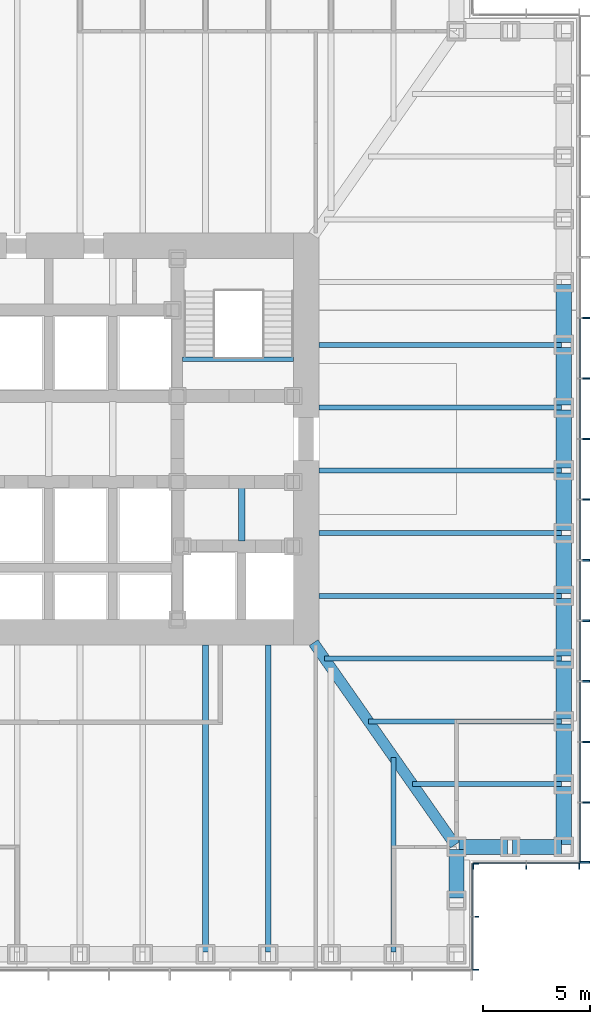
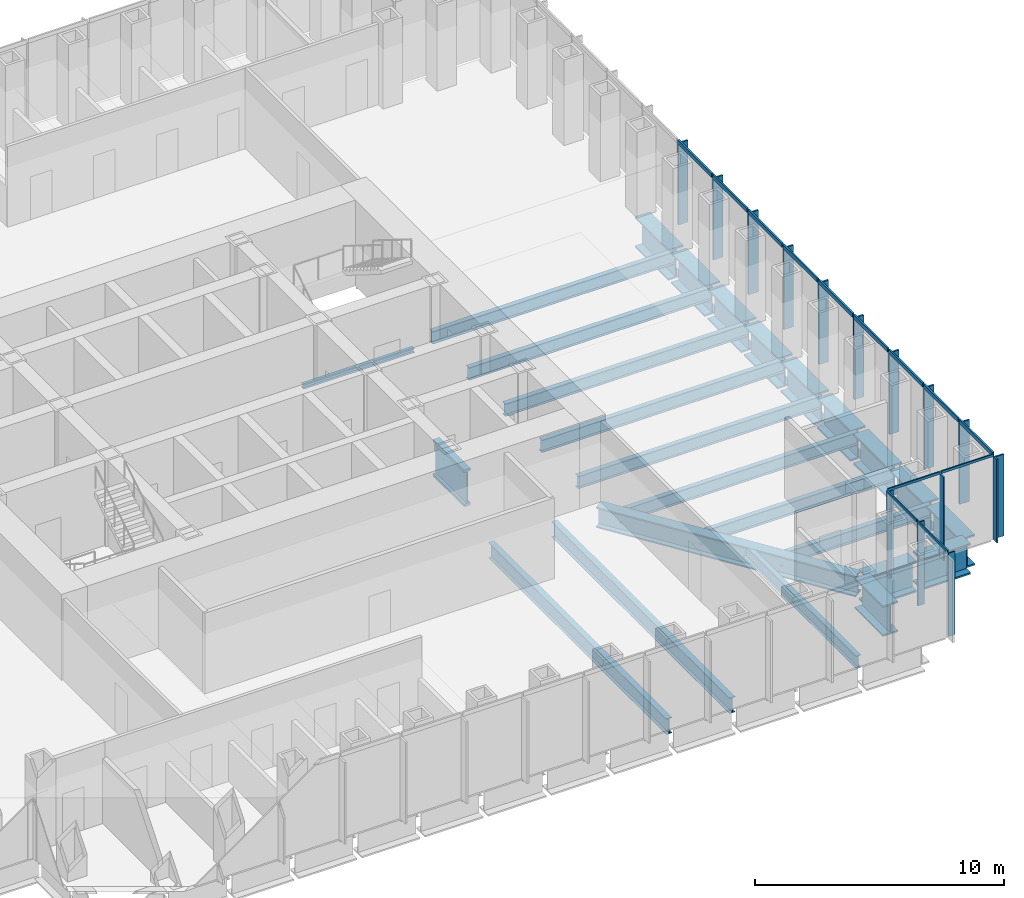
# One storey, part 4 of 17: 29 members, 26 beams, 3 elements without a shape of their own.
"""IFC4 building model written with IfcOpenShell, lengths in metres."""

from ifc_helpers import new_model, si_unit, direction, frame, origin, origin_2d, place, context, subcontext, project, spatial, rectangle, i_section, extrude, material, material_profile, profile_set, type_object, element, aggregate, save


model = new_model("IFC4")

# Units and contexts
model_context = context("Model", 3, precision=1e-05, world=origin(), true_north=direction((0.0, 1.0)))
body_context = subcontext(model_context, "Body", "Model", "MODEL_VIEW")
ifc_project = project(units=[si_unit("LENGTHUNIT", "METRE"), si_unit("AREAUNIT", "SQUARE_METRE"), si_unit("VOLUMEUNIT", "CUBIC_METRE"), si_unit("PLANEANGLEUNIT", "RADIAN"), si_unit("MASSUNIT", "GRAM", prefix="KILO")], contexts=[model_context])

# Site, building, storey
site_placement = place(None, origin())
site = spatial("IfcSite", under=ifc_project, at=site_placement, CompositionType="ELEMENT")
building_placement = place(site_placement, origin())
building = spatial("IfcBuilding", under=site, at=building_placement, Name="Daluyong Arena Tower", CompositionType="ELEMENT")
storey_placement = place(building_placement, frame((0.0, 0.0, 97.89990234375)))
storey = spatial("IfcBuildingStorey", under=building, at=storey_placement, Name="L21", CompositionType="ELEMENT", Elevation=97.89990234375)

# Curtain wall, members
ifc_material_1 = material(Name="Bronze anodised aluminium and glass", Category="aluminium")
curtain_wall_type_1 = type_object("IfcCurtainWallType", Name="Curtain wall CW1", PredefinedType="USERDEFINED", material=ifc_material_1)
curtain_wall_1_placement = place(storey_placement, origin())
curtain_wall_1 = element("IfcCurtainWall", 1, at=curtain_wall_1_placement, inside=storey, type_object=curtain_wall_type_1, Name="curtain wall L21 E", ObjectType="UNITISED CURTAIN WALL", PredefinedType="USERDEFINED")
ifc_material_2 = material(Name="Bronze anodised aluminium fin", Category="aluminium")
ifc_material_profile_1 = material_profile(ifc_material_2, rectangle(XDim=0.449951171875, YDim=0.080078125, at=origin_2d()))
ifc_profile_set_1 = profile_set([ifc_material_profile_1], Name="Bronze anodised aluminium fin")
member_type_1 = type_object("IfcMemberType", Name="CW1 bronze fin 450x80", PredefinedType="MULLION", material=ifc_profile_set_1)
member_1_placement = place(storey_placement, frame((80.97509765625, 60.2900390625, 0.0), z_axis=(0.0, 0.0, 1.0), x_axis=(-1.0, 0.0, 0.0)))
member_1 = element("IfcMember", 2, at=member_1_placement, type_object=member_type_1, Name="curtain wall L21 E fin 1", PredefinedType="MULLION", context=body_context, shape_type="SweptSolid", body=[
    extrude(rectangle(XDim=0.449951171875, YDim=0.080078125, at=origin_2d()), origin(), (0.0, 0.0, 1.0), 4.0),
])
member_2_placement = place(storey_placement, frame((80.97509765625, 63.071533203125, 0.0), z_axis=(0.0, 0.0, 1.0), x_axis=(-1.0, 0.0, 0.0)))
member_2 = element("IfcMember", 3, at=member_2_placement, type_object=member_type_1, Name="curtain wall L21 E fin 2", PredefinedType="MULLION", context=body_context, shape_type="SweptSolid", body=[
    extrude(rectangle(XDim=0.449951171875, YDim=0.080078125, at=origin_2d()), origin(), (0.0, 0.0, 1.0), 4.0),
])
member_3_placement = place(storey_placement, frame((80.97509765625, 65.892822265625, 0.0), z_axis=(0.0, 0.0, 1.0), x_axis=(-1.0, 0.0, 0.0)))
member_3 = element("IfcMember", 4, at=member_3_placement, type_object=member_type_1, Name="curtain wall L21 E fin 3", PredefinedType="MULLION", context=body_context, shape_type="SweptSolid", body=[
    extrude(rectangle(XDim=0.449951171875, YDim=0.080078125, at=origin_2d()), origin(), (0.0, 0.0, 1.0), 4.0),
])
member_4_placement = place(storey_placement, frame((80.97509765625, 68.71435546875, 0.0), z_axis=(0.0, 0.0, 1.0), x_axis=(-1.0, 0.0, 0.0)))
member_4 = element("IfcMember", 5, at=member_4_placement, type_object=member_type_1, Name="curtain wall L21 E fin 4", PredefinedType="MULLION", context=body_context, shape_type="SweptSolid", body=[
    extrude(rectangle(XDim=0.449951171875, YDim=0.080078125, at=origin_2d()), origin(), (0.0, 0.0, 1.0), 4.0),
])
member_5_placement = place(storey_placement, frame((80.97509765625, 71.53564453125, 0.0), z_axis=(0.0, 0.0, 1.0), x_axis=(-1.0, 0.0, 0.0)))
member_5 = element("IfcMember", 6, at=member_5_placement, type_object=member_type_1, Name="curtain wall L21 E fin 5", PredefinedType="MULLION", context=body_context, shape_type="SweptSolid", body=[
    extrude(rectangle(XDim=0.449951171875, YDim=0.080078125, at=origin_2d()), origin(), (0.0, 0.0, 1.0), 4.0),
])
member_6_placement = place(storey_placement, frame((80.97509765625, 74.357177734375, 0.0), z_axis=(0.0, 0.0, 1.0), x_axis=(-1.0, 0.0, 0.0)))
member_6 = element("IfcMember", 7, at=member_6_placement, type_object=member_type_1, Name="curtain wall L21 E fin 6", PredefinedType="MULLION", context=body_context, shape_type="SweptSolid", body=[
    extrude(rectangle(XDim=0.449951171875, YDim=0.080078125, at=origin_2d()), origin(), (0.0, 0.0, 1.0), 4.0),
])
member_7_placement = place(storey_placement, frame((80.97509765625, 77.178466796875, 0.0), z_axis=(0.0, 0.0, 1.0), x_axis=(-1.0, 0.0, 0.0)))
member_7 = element("IfcMember", 8, at=member_7_placement, type_object=member_type_1, Name="curtain wall L21 E fin 7", PredefinedType="MULLION", context=body_context, shape_type="SweptSolid", body=[
    extrude(rectangle(XDim=0.449951171875, YDim=0.080078125, at=origin_2d()), origin(), (0.0, 0.0, 1.0), 4.0),
])
member_8_placement = place(storey_placement, frame((80.97509765625, 80.0, 0.0), z_axis=(0.0, 0.0, 1.0), x_axis=(-1.0, 0.0, 0.0)))
member_8 = element("IfcMember", 9, at=member_8_placement, type_object=member_type_1, Name="curtain wall L21 E fin 8", PredefinedType="MULLION", context=body_context, shape_type="SweptSolid", body=[
    extrude(rectangle(XDim=0.449951171875, YDim=0.080078125, at=origin_2d()), origin(), (0.0, 0.0, 1.0), 4.0),
])
member_9_placement = place(storey_placement, frame((80.97509765625, 82.821533203125, 0.0), z_axis=(0.0, 0.0, 1.0), x_axis=(-1.0, 0.0, 0.0)))
member_9 = element("IfcMember", 10, at=member_9_placement, type_object=member_type_1, Name="curtain wall L21 E fin 9", PredefinedType="MULLION", context=body_context, shape_type="SweptSolid", body=[
    extrude(rectangle(XDim=0.449951171875, YDim=0.080078125, at=origin_2d()), origin(), (0.0, 0.0, 1.0), 4.0),
])
member_10_placement = place(storey_placement, frame((80.97509765625, 85.642822265625, 0.0), z_axis=(0.0, 0.0, 1.0), x_axis=(-1.0, 0.0, 0.0)))
member_10 = element("IfcMember", 11, at=member_10_placement, type_object=member_type_1, Name="curtain wall L21 E fin 10", PredefinedType="MULLION", context=body_context, shape_type="SweptSolid", body=[
    extrude(rectangle(XDim=0.449951171875, YDim=0.080078125, at=origin_2d()), origin(), (0.0, 0.0, 1.0), 4.0),
])
ifc_material_3 = material(Name="Bronze anodised aluminium", Category="aluminium")
ifc_material_profile_2 = material_profile(ifc_material_3, rectangle(XDim=0.080078125, YDim=0.199951171875, at=origin_2d()))
ifc_profile_set_2 = profile_set([ifc_material_profile_2], Name="Bronze anodised aluminium")
member_type_2 = type_object("IfcMemberType", Name="CW1 stack transom 200x80", PredefinedType="USERDEFINED", material=ifc_profile_set_2)
member_11_placement = place(storey_placement, frame((80.75, 60.330078125, 4.10009765625), z_axis=(0.0, 1.0, 0.0), x_axis=(-1.0, 0.0, 0.0)))
member_11 = element("IfcMember", 12, at=member_11_placement, type_object=member_type_2, Name="curtain wall L21 E transom 1", ObjectType="TRANSOM", PredefinedType="USERDEFINED", context=body_context, shape_type="SweptSolid", body=[
    extrude(rectangle(XDim=0.080078125, YDim=0.199951171875, at=origin_2d()), origin(), (0.0, 0.0, 1.0), 2.701416015625),
])
member_12_placement = place(storey_placement, frame((80.75, 63.111328125, 4.10009765625), z_axis=(0.0, 1.0, 0.0), x_axis=(-1.0, 0.0, 0.0)))
member_12 = element("IfcMember", 13, at=member_12_placement, type_object=member_type_2, Name="curtain wall L21 E transom 2", ObjectType="TRANSOM", PredefinedType="USERDEFINED", context=body_context, shape_type="SweptSolid", body=[
    extrude(rectangle(XDim=0.080078125, YDim=0.199951171875, at=origin_2d()), origin(), (0.0, 0.0, 1.0), 2.741455078125),
])
member_13_placement = place(storey_placement, frame((80.75, 65.932861328125, 4.10009765625), z_axis=(0.0, 1.0, 0.0), x_axis=(-1.0, 0.0, 0.0)))
member_13 = element("IfcMember", 14, at=member_13_placement, type_object=member_type_2, Name="curtain wall L21 E transom 3", ObjectType="TRANSOM", PredefinedType="USERDEFINED", context=body_context, shape_type="SweptSolid", body=[
    extrude(rectangle(XDim=0.080078125, YDim=0.199951171875, at=origin_2d()), origin(), (0.0, 0.0, 1.0), 2.741455078125),
])
member_14_placement = place(storey_placement, frame((80.75, 68.75439453125, 4.10009765625), z_axis=(0.0, 1.0, 0.0), x_axis=(-1.0, 0.0, 0.0)))
member_14 = element("IfcMember", 15, at=member_14_placement, type_object=member_type_2, Name="curtain wall L21 E transom 4", ObjectType="TRANSOM", PredefinedType="USERDEFINED", context=body_context, shape_type="SweptSolid", body=[
    extrude(rectangle(XDim=0.080078125, YDim=0.199951171875, at=origin_2d()), origin(), (0.0, 0.0, 1.0), 2.7412109375),
])
member_15_placement = place(storey_placement, frame((80.75, 71.57568359375, 4.10009765625), z_axis=(0.0, 1.0, 0.0), x_axis=(-1.0, 0.0, 0.0)))
member_15 = element("IfcMember", 16, at=member_15_placement, type_object=member_type_2, Name="curtain wall L21 E transom 5", ObjectType="TRANSOM", PredefinedType="USERDEFINED", context=body_context, shape_type="SweptSolid", body=[
    extrude(rectangle(XDim=0.080078125, YDim=0.199951171875, at=origin_2d()), origin(), (0.0, 0.0, 1.0), 2.741455078125),
])
member_16_placement = place(storey_placement, frame((80.75, 74.397216796875, 4.10009765625), z_axis=(0.0, 1.0, 0.0), x_axis=(-1.0, 0.0, 0.0)))
member_16 = element("IfcMember", 17, at=member_16_placement, type_object=member_type_2, Name="curtain wall L21 E transom 6", ObjectType="TRANSOM", PredefinedType="USERDEFINED", context=body_context, shape_type="SweptSolid", body=[
    extrude(rectangle(XDim=0.080078125, YDim=0.199951171875, at=origin_2d()), origin(), (0.0, 0.0, 1.0), 2.741455078125),
])
member_17_placement = place(storey_placement, frame((80.75, 77.218505859375, 4.10009765625), z_axis=(0.0, 1.0, 0.0), x_axis=(-1.0, 0.0, 0.0)))
member_17 = element("IfcMember", 18, at=member_17_placement, type_object=member_type_2, Name="curtain wall L21 E transom 7", ObjectType="TRANSOM", PredefinedType="USERDEFINED", context=body_context, shape_type="SweptSolid", body=[
    extrude(rectangle(XDim=0.080078125, YDim=0.199951171875, at=origin_2d()), origin(), (0.0, 0.0, 1.0), 2.741455078125),
])
member_18_placement = place(storey_placement, frame((80.75, 80.0400390625, 4.10009765625), z_axis=(0.0, 1.0, 0.0), x_axis=(-1.0, 0.0, 0.0)))
member_18 = element("IfcMember", 19, at=member_18_placement, type_object=member_type_2, Name="curtain wall L21 E transom 8", ObjectType="TRANSOM", PredefinedType="USERDEFINED", context=body_context, shape_type="SweptSolid", body=[
    extrude(rectangle(XDim=0.080078125, YDim=0.199951171875, at=origin_2d()), origin(), (0.0, 0.0, 1.0), 2.741455078125),
])
member_19_placement = place(storey_placement, frame((80.75, 82.861328125, 4.10009765625), z_axis=(0.0, 1.0, 0.0), x_axis=(-1.0, 0.0, 0.0)))
member_19 = element("IfcMember", 20, at=member_19_placement, type_object=member_type_2, Name="curtain wall L21 E transom 9", ObjectType="TRANSOM", PredefinedType="USERDEFINED", context=body_context, shape_type="SweptSolid", body=[
    extrude(rectangle(XDim=0.080078125, YDim=0.199951171875, at=origin_2d()), origin(), (0.0, 0.0, 1.0), 2.741455078125),
])
aggregate(curtain_wall_1, [member_1, member_2, member_3, member_4, member_5, member_6, member_7, member_8, member_9, member_10, member_11, member_12, member_13, member_14, member_15, member_16, member_17, member_18, member_19])

ifc_material_4 = material(Name="Bronze anodised aluminium and glass", Category="aluminium")
curtain_wall_type_2 = type_object("IfcCurtainWallType", Name="Curtain wall CW7", PredefinedType="USERDEFINED", material=ifc_material_4)
curtain_wall_2_placement = place(storey_placement, origin())
curtain_wall_2 = element("IfcCurtainWall", 21, at=curtain_wall_2_placement, inside=storey, type_object=curtain_wall_type_2, Name="curtain wall L21 SE-E", ObjectType="UNITISED CURTAIN WALL", PredefinedType="USERDEFINED")
ifc_material_5 = material(Name="Bronze anodised aluminium fin", Category="aluminium")
ifc_material_profile_3 = material_profile(ifc_material_5, rectangle(XDim=0.300048828125, YDim=0.06005859375, at=origin_2d()))
ifc_profile_set_3 = profile_set([ifc_material_profile_3], Name="Bronze anodised aluminium fin")
member_type_3 = type_object("IfcMemberType", Name="CW7 bronze fin 300x60", PredefinedType="MULLION", material=ifc_profile_set_3)
member_20_placement = place(storey_placement, frame((75.89990234375, 55.280029296875, 0.0), z_axis=(0.0, 0.0, 1.0), x_axis=(-1.0, 0.0, 0.0)))
member_20 = element("IfcMember", 22, at=member_20_placement, type_object=member_type_3, Name="curtain wall L21 SE-E fin 1", PredefinedType="MULLION", context=body_context, shape_type="SweptSolid", body=[
    extrude(rectangle(XDim=0.300048828125, YDim=0.06005859375, at=origin_2d()), origin(), (0.0, 0.0, 1.0), 4.080078125),
])
member_21_placement = place(storey_placement, frame((75.89990234375, 57.75, 0.0), z_axis=(0.0, 0.0, 1.0), x_axis=(-1.0, 0.0, 0.0)))
member_21 = element("IfcMember", 23, at=member_21_placement, type_object=member_type_3, Name="curtain wall L21 SE-E fin 2", PredefinedType="MULLION", context=body_context, shape_type="SweptSolid", body=[
    extrude(rectangle(XDim=0.300048828125, YDim=0.06005859375, at=origin_2d()), origin(), (0.0, 0.0, 1.0), 4.080078125),
])
member_22_placement = place(storey_placement, frame((75.89990234375, 60.219970703125, 0.0), z_axis=(0.0, 0.0, 1.0), x_axis=(-1.0, 0.0, 0.0)))
member_22 = element("IfcMember", 24, at=member_22_placement, type_object=member_type_3, Name="curtain wall L21 SE-E fin 3", PredefinedType="MULLION", context=body_context, shape_type="SweptSolid", body=[
    extrude(rectangle(XDim=0.300048828125, YDim=0.06005859375, at=origin_2d()), origin(), (0.0, 0.0, 1.0), 4.080078125),
])

curtain_wall_3_placement = place(storey_placement, origin())
curtain_wall_3 = element("IfcCurtainWall", 25, at=curtain_wall_3_placement, inside=storey, type_object=curtain_wall_type_2, Name="curtain wall L21 SE-S", ObjectType="UNITISED CURTAIN WALL", PredefinedType="USERDEFINED")
member_23_placement = place(storey_placement, frame((75.780029296875, 60.10009765625, 0.0), z_axis=(0.0, 0.0, 1.0), x_axis=(0.0, 1.0, 0.0)))
member_23 = element("IfcMember", 26, at=member_23_placement, type_object=member_type_3, Name="curtain wall L21 SE-S fin 1", PredefinedType="MULLION", context=body_context, shape_type="SweptSolid", body=[
    extrude(rectangle(XDim=0.300048828125, YDim=0.06005859375, at=origin_2d()), origin(), (0.0, 0.0, 1.0), 4.080078125),
])
member_24_placement = place(storey_placement, frame((78.25, 60.10009765625, 0.0), z_axis=(0.0, 0.0, 1.0), x_axis=(0.0, 1.0, 0.0)))
member_24 = element("IfcMember", 27, at=member_24_placement, type_object=member_type_3, Name="curtain wall L21 SE-S fin 2", PredefinedType="MULLION", context=body_context, shape_type="SweptSolid", body=[
    extrude(rectangle(XDim=0.300048828125, YDim=0.06005859375, at=origin_2d()), origin(), (0.0, 0.0, 1.0), 4.080078125),
])
member_25_placement = place(storey_placement, frame((80.719970703125, 60.10009765625, 0.0), z_axis=(0.0, 0.0, 1.0), x_axis=(0.0, 1.0, 0.0)))
member_25 = element("IfcMember", 28, at=member_25_placement, type_object=member_type_3, Name="curtain wall L21 SE-S fin 3", PredefinedType="MULLION", context=body_context, shape_type="SweptSolid", body=[
    extrude(rectangle(XDim=0.300048828125, YDim=0.06005859375, at=origin_2d()), origin(), (0.0, 0.0, 1.0), 4.080078125),
])

# Member
ifc_material_6 = material(Name="Bronze anodised aluminium", Category="aluminium")
ifc_material_profile_4 = material_profile(ifc_material_6, rectangle(XDim=0.06005859375, YDim=0.1201171875, at=origin_2d()))
ifc_profile_set_4 = profile_set([ifc_material_profile_4], Name="Bronze anodised aluminium")
member_type_4 = type_object("IfcMemberType", Name="CW7 stack transom 120x60", PredefinedType="USERDEFINED", material=ifc_profile_set_4)
member_26_placement = place(storey_placement, frame((75.75, 55.31005859375, 4.14013671875), z_axis=(0.0, 1.0, 0.0), x_axis=(-1.0, 0.0, 0.0)))
member_26 = element("IfcMember", 29, at=member_26_placement, type_object=member_type_4, Name="curtain wall L21 SE-E transom 1", ObjectType="TRANSOM", PredefinedType="USERDEFINED", context=body_context, shape_type="SweptSolid", body=[
    extrude(rectangle(XDim=0.06005859375, YDim=0.1201171875, at=origin_2d()), origin(), (0.0, 0.0, 1.0), 2.409912109375),
])

member_27_placement = place(storey_placement, frame((75.75, 57.780029296875, 4.14013671875), z_axis=(0.0, 1.0, 0.0), x_axis=(-1.0, 0.0, 0.0)))
member_27 = element("IfcMember", 30, at=member_27_placement, type_object=member_type_4, Name="curtain wall L21 SE-E transom 2", ObjectType="TRANSOM", PredefinedType="USERDEFINED", context=body_context, shape_type="SweptSolid", body=[
    extrude(rectangle(XDim=0.06005859375, YDim=0.1201171875, at=origin_2d()), origin(), (0.0, 0.0, 1.0), 2.409912109375),
])

aggregate(curtain_wall_2, [member_20, member_21, member_22, member_26, member_27])

member_28_placement = place(storey_placement, frame((75.81005859375, 60.25, 4.14013671875), z_axis=(1.0, 0.0, 0.0), x_axis=(0.0, 1.0, 0.0)))
member_28 = element("IfcMember", 31, at=member_28_placement, type_object=member_type_4, Name="curtain wall L21 SE-S transom 1", ObjectType="TRANSOM", PredefinedType="USERDEFINED", context=body_context, shape_type="SweptSolid", body=[
    extrude(rectangle(XDim=0.06005859375, YDim=0.1201171875, at=origin_2d()), origin(), (0.0, 0.0, 1.0), 2.409912109375),
])

member_29_placement = place(storey_placement, frame((78.280029296875, 60.25, 4.14013671875), z_axis=(1.0, 0.0, 0.0), x_axis=(0.0, 1.0, 0.0)))
member_29 = element("IfcMember", 32, at=member_29_placement, type_object=member_type_4, Name="curtain wall L21 SE-S transom 2", ObjectType="TRANSOM", PredefinedType="USERDEFINED", context=body_context, shape_type="SweptSolid", body=[
    extrude(rectangle(XDim=0.06005859375, YDim=0.1201171875, at=origin_2d()), origin(), (0.0, 0.0, 1.0), 2.409912109375),
])

aggregate(curtain_wall_3, [member_23, member_24, member_25, member_28, member_29])

# Beams
ifc_material_7 = material(Name="Steel ASTM A572 Grade 50", Category="steel")
ifc_material_profile_5 = material_profile(ifc_material_7, i_section(OverallWidth=0.5, OverallDepth=1.0, WebThickness=0.03, FlangeThickness=0.06, at=origin_2d()))
ifc_profile_set_5 = profile_set([ifc_material_profile_5], Name="Steel ASTM A572 Grade 50")
beam_type_1 = type_object("IfcBeamType", Name="Corner girder TB1000X500", PredefinedType="BEAM", material=ifc_profile_set_5)
beam_1_placement = place(storey_placement, frame((74.93408203125, 61.09423828125, -0.659912109375), z_axis=(-0.573466621875, 0.819228926244, 0.0), x_axis=(-0.819228926244, -0.573466621875, 0.0)))
element("IfcBeam", 33, at=beam_1_placement, inside=storey, type_object=beam_type_1, Name="corner girder DG2", PredefinedType="BEAM", context=body_context, shape_type="SweptSolid", body=[
    extrude(i_section(OverallWidth=0.5, OverallDepth=1.0, WebThickness=0.03, FlangeThickness=0.06, at=origin_2d()), origin(), (0.0, 0.0, 1.0), 11.49169921875),
])
ifc_material_8 = material(Name="Steel ASTM A992 Grade 50", Category="steel")
ifc_material_profile_6 = material_profile(ifc_material_8, i_section(OverallWidth=0.22900390625, OverallDepth=0.612060546875, WebThickness=0.011962890625, FlangeThickness=0.01953125, at=origin_2d()))
ifc_profile_set_6 = profile_set([ifc_material_profile_6], Name="Steel ASTM A992 Grade 50")
beam_type_2 = type_object("IfcBeamType", Name="Floor beam W24X84", PredefinedType="BEAM", material=ifc_profile_set_6)
beam_2_placement = place(storey_placement, frame((72.076904296875, 56.114990234375, -0.466064453125), z_axis=(0.0, 1.0, 0.0), x_axis=(-1.0, 0.0, 0.0)))
element("IfcBeam", 34, at=beam_2_placement, inside=storey, type_object=beam_type_2, Name="floor beam FB3", PredefinedType="BEAM", context=body_context, shape_type="SweptSolid", body=[
    extrude(i_section(OverallWidth=0.22900390625, OverallDepth=0.612060546875, WebThickness=0.011962890625, FlangeThickness=0.01953125, at=origin_2d()), origin(), (0.0, 0.0, 1.0), 9.060791015625),
])
beam_3_placement = place(storey_placement, frame((79.885009765625, 63.923095703125, -0.466064453125), z_axis=(-1.0, 0.0, 0.0), x_axis=(0.0, -1.0, 0.0)))
element("IfcBeam", 35, at=beam_3_placement, inside=storey, type_object=beam_type_2, Name="floor beam FB3", PredefinedType="BEAM", context=body_context, shape_type="SweptSolid", body=[
    extrude(i_section(OverallWidth=0.22900390625, OverallDepth=0.612060546875, WebThickness=0.011962890625, FlangeThickness=0.01953125, at=origin_2d()), origin(), (0.0, 0.0, 1.0), 6.93115234375),
])
beam_4_placement = place(storey_placement, frame((79.885009765625, 66.84619140625, -0.466064453125), z_axis=(-1.0, 0.0, 0.0), x_axis=(0.0, -1.0, 0.0)))
element("IfcBeam", 36, at=beam_4_placement, inside=storey, type_object=beam_type_2, Name="floor beam FB3", PredefinedType="BEAM", context=body_context, shape_type="SweptSolid", body=[
    extrude(i_section(OverallWidth=0.22900390625, OverallDepth=0.612060546875, WebThickness=0.011962890625, FlangeThickness=0.01953125, at=origin_2d()), origin(), (0.0, 0.0, 1.0), 8.977294921875),
])
beam_5_placement = place(storey_placement, frame((79.885009765625, 69.769287109375, -0.466064453125), z_axis=(-1.0, 0.0, 0.0), x_axis=(0.0, -1.0, 0.0)))
element("IfcBeam", 37, at=beam_5_placement, inside=storey, type_object=beam_type_2, Name="floor beam FB3", PredefinedType="BEAM", context=body_context, shape_type="SweptSolid", body=[
    extrude(i_section(OverallWidth=0.22900390625, OverallDepth=0.612060546875, WebThickness=0.011962890625, FlangeThickness=0.01953125, at=origin_2d()), origin(), (0.0, 0.0, 1.0), 11.0234375),
])
for number, where, z_axis, x_axis, name in (
    (38, (79.885009765625, 72.6923828125, -0.466064453125), (-1.0, 0.0, 0.0), (0.0, -1.0, 0.0), "floor beam FB3"),
    (39, (79.885009765625, 75.615478515625, -0.466064453125), (-1.0, 0.0, 0.0), (0.0, -1.0, 0.0), "floor beam FB3"),
    (40, (79.885009765625, 78.53857421875, -0.466064453125), (-1.0, 0.0, 0.0), (0.0, -1.0, 0.0), "floor beam FB3"),
    (41, (79.885009765625, 81.46142578125, -0.466064453125), (-1.0, 0.0, 0.0), (0.0, -1.0, 0.0), "floor beam FB3"),
    (42, (79.885009765625, 84.384521484375, -0.466064453125), (-1.0, 0.0, 0.0), (0.0, -1.0, 0.0), "floor beam FB3"),
):
    element("IfcBeam", number, at=place(storey_placement, frame(where, z_axis=z_axis, x_axis=x_axis)), inside=storey, type_object=beam_type_2, Name=name, PredefinedType="BEAM", context=body_context, shape_type="SweptSolid", body=[
        extrude(i_section(OverallWidth=0.22900390625, OverallDepth=0.612060546875, WebThickness=0.011962890625, FlangeThickness=0.01953125, at=origin_2d()), origin(), (0.0, 0.0, 1.0), 11.284912109375),
    ])
ifc_material_9 = material(Name="Steel ASTM A992 Grade 50", Category="steel")
ifc_material_profile_7 = material_profile(ifc_material_9, i_section(OverallWidth=0.2666015625, OverallDepth=0.761962890625, WebThickness=0.014404296875, FlangeThickness=0.021484375, at=origin_2d()))
ifc_profile_set_7 = profile_set([ifc_material_profile_7], Name="Steel ASTM A992 Grade 50")
beam_type_3 = type_object("IfcBeamType", Name="Floor beam W30X116", PredefinedType="BEAM", material=ifc_profile_set_7)
for number, where, z_axis, x_axis, name in (
    (43, (63.3076171875, 56.114990234375, -0.541015625), (0.0, 1.0, 0.0), (-1.0, 0.0, 0.0), "floor beam FB4"),
    (44, (66.230712890625, 56.114990234375, -0.541015625), (0.0, 1.0, 0.0), (-1.0, 0.0, 0.0), "floor beam FB4"),
):
    element("IfcBeam", number, at=place(storey_placement, frame(where, z_axis=z_axis, x_axis=x_axis)), inside=storey, type_object=beam_type_3, Name=name, PredefinedType="BEAM", context=body_context, shape_type="SweptSolid", body=[
        extrude(i_section(OverallWidth=0.2666015625, OverallDepth=0.761962890625, WebThickness=0.014404296875, FlangeThickness=0.021484375, at=origin_2d()), origin(), (0.0, 0.0, 1.0), 14.284912109375),
    ])
ifc_material_10 = material(Name="Steel ASTM A588 Grade 50", Category="steel")
ifc_material_profile_8 = material_profile(ifc_material_10, i_section(OverallWidth=0.300048828125, OverallDepth=1.800048828125, WebThickness=0.05, FlangeThickness=0.12, at=origin_2d()))
ifc_profile_set_8 = profile_set([ifc_material_profile_8], Name="Steel ASTM A588 Grade 50")
beam_type_4 = type_object("IfcBeamType", Name="Lift divider beam PG1800X300", PredefinedType="BEAM", material=ifc_profile_set_8)
beam_6_placement = place(storey_placement, frame((65.0, 75.25, -1.059814453125), z_axis=(0.0, 1.0, 0.0), x_axis=(-1.0, 0.0, 0.0)))
element("IfcBeam", 45, at=beam_6_placement, inside=storey, type_object=beam_type_4, Name="lift divider beam DB3", PredefinedType="BEAM", context=body_context, shape_type="SweptSolid", body=[
    extrude(i_section(OverallWidth=0.300048828125, OverallDepth=1.800048828125, WebThickness=0.05, FlangeThickness=0.12, at=origin_2d()), origin(), (0.0, 0.0, 1.0), 2.5),
])
ifc_material_11 = material(Name="Steel ASTM A572 Grade 50", Category="steel")
ifc_material_profile_9 = material_profile(ifc_material_11, i_section(OverallWidth=0.699951171875, OverallDepth=1.5, WebThickness=0.04, FlangeThickness=0.08, at=origin_2d()))
ifc_profile_set_9 = profile_set([ifc_material_profile_9], Name="Steel ASTM A572 Grade 50")
beam_type_5 = type_object("IfcBeamType", Name="Spandrel Z1 PG1500X700", PredefinedType="SPANDREL", material=ifc_profile_set_9)
for number, where, z_axis, x_axis, name in (
    (46, (75.0, 58.614990234375, -0.909912109375), (0.0, 1.0, 0.0), (-1.0, 0.0, 0.0), "spandrel z1 SB4"),
    (47, (75.114990234375, 61.0, -0.909912109375), (1.0, 0.0, 0.0), (0.0, 1.0, 0.0), "spandrel z1 SB4"),
    (48, (77.614990234375, 61.0, -0.909912109375), (1.0, 0.0, 0.0), (0.0, 1.0, 0.0), "spandrel z1 SB4"),
):
    element("IfcBeam", number, at=place(storey_placement, frame(where, z_axis=z_axis, x_axis=x_axis)), inside=storey, type_object=beam_type_5, Name=name, PredefinedType="SPANDREL", context=body_context, shape_type="SweptSolid", body=[
        extrude(i_section(OverallWidth=0.699951171875, OverallDepth=1.5, WebThickness=0.04, FlangeThickness=0.08, at=origin_2d()), origin(), (0.0, 0.0, 1.0), 2.27001953125),
    ])
for number, where, z_axis, x_axis, name in (
    (49, (80.0, 61.114990234375, -0.909912109375), (0.0, 1.0, 0.0), (-1.0, 0.0, 0.0), "spandrel z1 SB4"),
    (50, (80.0, 64.0380859375, -0.909912109375), (0.0, 1.0, 0.0), (-1.0, 0.0, 0.0), "spandrel z1 SB4"),
    (51, (80.0, 66.961181640625, -0.909912109375), (0.0, 1.0, 0.0), (-1.0, 0.0, 0.0), "spandrel z1 SB4"),
    (52, (80.0, 69.88427734375, -0.909912109375), (0.0, 1.0, 0.0), (-1.0, 0.0, 0.0), "spandrel z1 SB4"),
    (53, (80.0, 72.807373046875, -0.909912109375), (0.0, 1.0, 0.0), (-1.0, 0.0, 0.0), "spandrel z1 SB4"),
    (54, (80.0, 75.73046875, -0.909912109375), (0.0, 1.0, 0.0), (-1.0, 0.0, 0.0), "spandrel z1 SB4"),
):
    element("IfcBeam", number, at=place(storey_placement, frame(where, z_axis=z_axis, x_axis=x_axis)), inside=storey, type_object=beam_type_5, Name=name, PredefinedType="SPANDREL", context=body_context, shape_type="SweptSolid", body=[
        extrude(i_section(OverallWidth=0.699951171875, OverallDepth=1.5, WebThickness=0.04, FlangeThickness=0.08, at=origin_2d()), origin(), (0.0, 0.0, 1.0), 2.693115234375),
    ])
beam_7_placement = place(storey_placement, frame((80.0, 78.653564453125, -0.909912109375), z_axis=(0.0, 1.0, 0.0), x_axis=(-1.0, 0.0, 0.0)))
element("IfcBeam", 55, at=beam_7_placement, inside=storey, type_object=beam_type_5, Name="spandrel z1 SB4", PredefinedType="SPANDREL", context=body_context, shape_type="SweptSolid", body=[
    extrude(i_section(OverallWidth=0.699951171875, OverallDepth=1.5, WebThickness=0.04, FlangeThickness=0.08, at=origin_2d()), origin(), (0.0, 0.0, 1.0), 2.69287109375),
])
for number, where, z_axis, x_axis, name in (
    (56, (80.0, 81.576416015625, -0.909912109375), (0.0, 1.0, 0.0), (-1.0, 0.0, 0.0), "spandrel z1 SB4"),
    (57, (80.0, 84.49951171875, -0.909912109375), (0.0, 1.0, 0.0), (-1.0, 0.0, 0.0), "spandrel z1 SB4"),
):
    element("IfcBeam", number, at=place(storey_placement, frame(where, z_axis=z_axis, x_axis=x_axis)), inside=storey, type_object=beam_type_5, Name=name, PredefinedType="SPANDREL", context=body_context, shape_type="SweptSolid", body=[
        extrude(i_section(OverallWidth=0.699951171875, OverallDepth=1.5, WebThickness=0.04, FlangeThickness=0.08, at=origin_2d()), origin(), (0.0, 0.0, 1.0), 2.693115234375),
    ])
ifc_material_12 = material(Name="Steel ASTM A992 Grade 50", Category="steel")
ifc_material_profile_10 = material_profile(ifc_material_12, i_section(OverallWidth=0.203125, OverallDepth=0.203125, WebThickness=0.00732421875, FlangeThickness=0.010986328125, at=origin_2d()))
ifc_profile_set_10 = profile_set([ifc_material_profile_10], Name="Steel ASTM A992 Grade 50")
beam_type_6 = type_object("IfcBeamType", Name="Stair landing beam W8X31", PredefinedType="BEAM", material=ifc_profile_set_10)
beam_8_placement = place(storey_placement, frame((62.25, 83.723388671875, -0.261474609375), z_axis=(1.0, 0.0, 0.0), x_axis=(0.0, 1.0, 0.0)))
element("IfcBeam", 58, at=beam_8_placement, inside=storey, type_object=beam_type_6, Name="exit stair B landing beam", PredefinedType="BEAM", context=body_context, shape_type="SweptSolid", body=[
    extrude(i_section(OverallWidth=0.203125, OverallDepth=0.203125, WebThickness=0.00732421875, FlangeThickness=0.010986328125, at=origin_2d()), origin(), (0.0, 0.0, 1.0), 5.14990234375),
])

save(model, "model.ifc")
